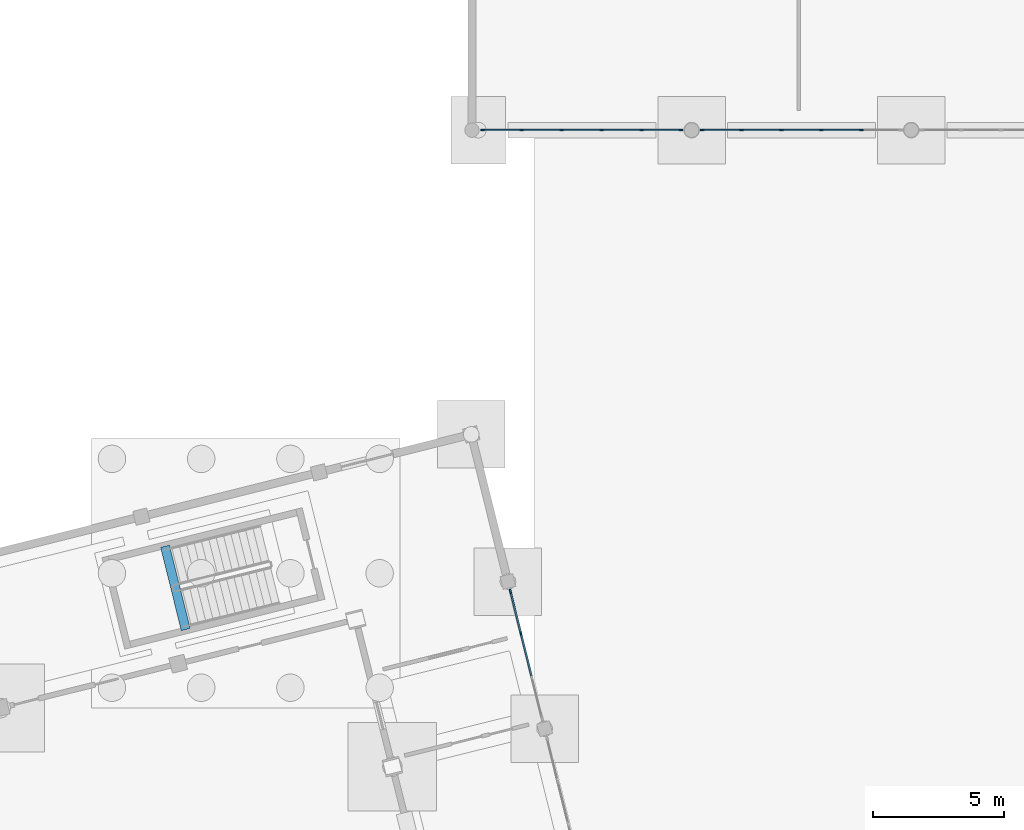
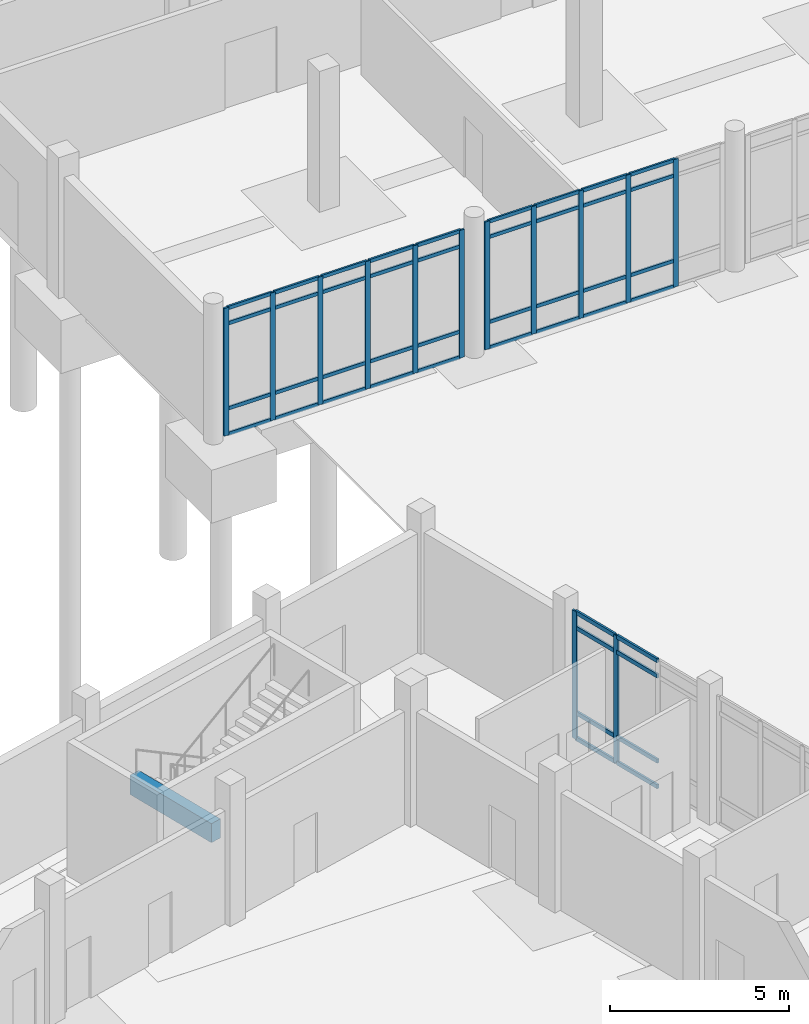
# One storey, part 17 of 72: 57 members, 1 beam, 3 elements without a shape of their own.
"""IFC4 building model written with IfcOpenShell, lengths in metres."""

from ifc_helpers import new_model, si_unit, direction, frame, origin, origin_2d, place, context, subcontext, project, spatial, rectangle, extrude, material, material_profile, profile_set, type_object, element, aggregate, save


model = new_model("IFC4")

# Units and contexts
model_context = context("Model", 3, precision=1e-05, world=origin(), true_north=direction((0.0, 1.0)))
body_context = subcontext(model_context, "Body", "Model", "MODEL_VIEW")
ifc_project = project(units=[si_unit("LENGTHUNIT", "METRE"), si_unit("AREAUNIT", "SQUARE_METRE"), si_unit("VOLUMEUNIT", "CUBIC_METRE"), si_unit("PLANEANGLEUNIT", "RADIAN"), si_unit("MASSUNIT", "GRAM", prefix="KILO")], contexts=[model_context])

# Site, building, storey
site_placement = place(None, origin())
site = spatial("IfcSite", under=ifc_project, at=site_placement, CompositionType="ELEMENT")
building_placement = place(site_placement, origin())
building = spatial("IfcBuilding", under=site, at=building_placement, Name="Cinderway Yard Community Centre", CompositionType="ELEMENT")
storey_placement = place(building_placement, origin())
storey = spatial("IfcBuildingStorey", under=building, at=storey_placement, Name="L00", CompositionType="ELEMENT", Elevation=0.0)

# Curtain wall, members
ifc_material_1 = material(Name="Aluminium 6063-T6", Category="aluminium")
curtain_wall_type_1 = type_object("IfcCurtainWallType", Name="ENV-CW-TYPE-24", PredefinedType="USERDEFINED", material=ifc_material_1)
curtain_wall_1_placement = place(storey_placement, origin())
curtain_wall_1 = element("IfcCurtainWall", 1, at=curtain_wall_1_placement, inside=storey, type_object=curtain_wall_type_1, Name="V4 Courtyard Curtain Wall ENV-CW-L00-ST-0109", ObjectType="GLAZED CURTAIN WALL", PredefinedType="USERDEFINED")
ifc_material_profile_1 = material_profile(ifc_material_1, rectangle(XDim=0.06005859375, YDim=0.159912109375, at=origin_2d()), Name="Aluminium 6063-T6")
ifc_profile_set_1 = profile_set([ifc_material_profile_1], Name="Aluminium 6063-T6")
member_type_1 = type_object("IfcMemberType", Name="ENV-CW-MULL-150", PredefinedType="MULLION", material=ifc_profile_set_1)
member_1_placement = place(storey_placement, frame((42.010009765625, 90.0, 0.0), z_axis=(0.0, 0.0, 1.0), x_axis=(0.0, 1.0, 0.0)))
member_1 = element("IfcMember", 2, at=member_1_placement, type_object=member_type_1, Name="CW-24 mullion 1", PredefinedType="MULLION", context=body_context, shape_type="SweptSolid", body=[
    extrude(rectangle(XDim=0.06005859375, YDim=0.159912109375, at=origin_2d()), origin(), (0.0, 0.0, 1.0), 4.35009765625),
])
member_2_placement = place(storey_placement, frame((43.508056640625, 90.0, 0.0), z_axis=(0.0, 0.0, 1.0), x_axis=(0.0, 1.0, 0.0)))
member_2 = element("IfcMember", 3, at=member_2_placement, type_object=member_type_1, Name="CW-24 mullion 2", PredefinedType="MULLION", context=body_context, shape_type="SweptSolid", body=[
    extrude(rectangle(XDim=0.06005859375, YDim=0.159912109375, at=origin_2d()), origin(), (0.0, 0.0, 1.0), 4.35009765625),
])
member_3_placement = place(storey_placement, frame((45.035888671875, 90.0, 0.0), z_axis=(0.0, 0.0, 1.0), x_axis=(0.0, 1.0, 0.0)))
member_3 = element("IfcMember", 4, at=member_3_placement, type_object=member_type_1, Name="CW-24 mullion 3", PredefinedType="MULLION", context=body_context, shape_type="SweptSolid", body=[
    extrude(rectangle(XDim=0.06005859375, YDim=0.159912109375, at=origin_2d()), origin(), (0.0, 0.0, 1.0), 4.35009765625),
])
member_4_placement = place(storey_placement, frame((46.56396484375, 90.0, 0.0), z_axis=(0.0, 0.0, 1.0), x_axis=(0.0, 1.0, 0.0)))
member_4 = element("IfcMember", 5, at=member_4_placement, type_object=member_type_1, Name="CW-24 mullion 4", PredefinedType="MULLION", context=body_context, shape_type="SweptSolid", body=[
    extrude(rectangle(XDim=0.06005859375, YDim=0.159912109375, at=origin_2d()), origin(), (0.0, 0.0, 1.0), 4.35009765625),
])
member_5_placement = place(storey_placement, frame((48.092041015625, 90.0, 0.0), z_axis=(0.0, 0.0, 1.0), x_axis=(0.0, 1.0, 0.0)))
member_5 = element("IfcMember", 6, at=member_5_placement, type_object=member_type_1, Name="CW-24 mullion 5", PredefinedType="MULLION", context=body_context, shape_type="SweptSolid", body=[
    extrude(rectangle(XDim=0.06005859375, YDim=0.159912109375, at=origin_2d()), origin(), (0.0, 0.0, 1.0), 4.35009765625),
])
member_6_placement = place(storey_placement, frame((49.590087890625, 90.0, 0.0), z_axis=(0.0, 0.0, 1.0), x_axis=(0.0, 1.0, 0.0)))
member_6 = element("IfcMember", 7, at=member_6_placement, type_object=member_type_1, Name="CW-24 mullion 6", PredefinedType="MULLION", context=body_context, shape_type="SweptSolid", body=[
    extrude(rectangle(XDim=0.06005859375, YDim=0.159912109375, at=origin_2d()), origin(), (0.0, 0.0, 1.0), 4.35009765625),
])

curtain_wall_2_placement = place(storey_placement, origin())
curtain_wall_2 = element("IfcCurtainWall", 8, at=curtain_wall_2_placement, inside=storey, type_object=curtain_wall_type_1, Name="V4 Courtyard Curtain Wall ENV-CW-L00-ST-0110", ObjectType="GLAZED CURTAIN WALL", PredefinedType="USERDEFINED")
member_7_placement = place(storey_placement, frame((50.409912109375, 90.0, 0.0), z_axis=(0.0, 0.0, 1.0), x_axis=(0.0, 1.0, 0.0)))
member_7 = element("IfcMember", 9, at=member_7_placement, type_object=member_type_1, Name="CW-24 mullion 1", PredefinedType="MULLION", context=body_context, shape_type="SweptSolid", body=[
    extrude(rectangle(XDim=0.06005859375, YDim=0.159912109375, at=origin_2d()), origin(), (0.0, 0.0, 1.0), 4.35009765625),
])
member_8_placement = place(storey_placement, frame((51.907958984375, 90.0, 0.0), z_axis=(0.0, 0.0, 1.0), x_axis=(0.0, 1.0, 0.0)))
member_8 = element("IfcMember", 10, at=member_8_placement, type_object=member_type_1, Name="CW-24 mullion 2", PredefinedType="MULLION", context=body_context, shape_type="SweptSolid", body=[
    extrude(rectangle(XDim=0.06005859375, YDim=0.159912109375, at=origin_2d()), origin(), (0.0, 0.0, 1.0), 4.35009765625),
])
member_9_placement = place(storey_placement, frame((53.43603515625, 90.0, 0.0), z_axis=(0.0, 0.0, 1.0), x_axis=(0.0, 1.0, 0.0)))
member_9 = element("IfcMember", 11, at=member_9_placement, type_object=member_type_1, Name="CW-24 mullion 3", PredefinedType="MULLION", context=body_context, shape_type="SweptSolid", body=[
    extrude(rectangle(XDim=0.06005859375, YDim=0.159912109375, at=origin_2d()), origin(), (0.0, 0.0, 1.0), 4.35009765625),
])
member_10_placement = place(storey_placement, frame((54.964111328125, 90.0, 0.0), z_axis=(0.0, 0.0, 1.0), x_axis=(0.0, 1.0, 0.0)))
member_10 = element("IfcMember", 12, at=member_10_placement, type_object=member_type_1, Name="CW-24 mullion 4", PredefinedType="MULLION", context=body_context, shape_type="SweptSolid", body=[
    extrude(rectangle(XDim=0.06005859375, YDim=0.159912109375, at=origin_2d()), origin(), (0.0, 0.0, 1.0), 4.35009765625),
])
member_11_placement = place(storey_placement, frame((56.491943359375, 90.0, 0.0), z_axis=(0.0, 0.0, 1.0), x_axis=(0.0, 1.0, 0.0)))
member_11 = element("IfcMember", 13, at=member_11_placement, type_object=member_type_1, Name="CW-24 mullion 5", PredefinedType="MULLION", context=body_context, shape_type="SweptSolid", body=[
    extrude(rectangle(XDim=0.06005859375, YDim=0.159912109375, at=origin_2d()), origin(), (0.0, 0.0, 1.0), 4.35009765625),
])

curtain_wall_type_2 = type_object("IfcCurtainWallType", Name="ENV-CW-TYPE-01", PredefinedType="USERDEFINED", material=ifc_material_1)
curtain_wall_3_placement = place(storey_placement, origin())
curtain_wall_3 = element("IfcCurtainWall", 14, at=curtain_wall_3_placement, inside=storey, type_object=curtain_wall_type_2, Name="Main Hall Courtyard Curtain Wall ENV-CW-L00-HS-0007", ObjectType="GLAZED CURTAIN WALL", PredefinedType="USERDEFINED")
ifc_material_profile_2 = material_profile(ifc_material_1, rectangle(XDim=0.06494140625, YDim=0.179931640625, at=origin_2d()), Name="Aluminium 6063-T6")
ifc_profile_set_2 = profile_set([ifc_material_profile_2], Name="Aluminium 6063-T6")
member_type_2 = type_object("IfcMemberType", Name="ENV-CW-MULL-180", PredefinedType="MULLION", material=ifc_profile_set_2)
member_12_placement = place(storey_placement, frame((43.47412109375, 70.74365234375, 0.0), z_axis=(0.0, 0.0, 1.0), x_axis=(-0.970258158409, -0.242072522276, 0.0)))
member_12 = element("IfcMember", 15, at=member_12_placement, type_object=member_type_2, Name="CW-01 mullion 3", PredefinedType="MULLION", context=body_context, shape_type="SweptSolid", body=[
    extrude(rectangle(XDim=0.06494140625, YDim=0.179931640625, at=origin_2d()), origin(), (0.0, 0.0, 1.0), 4.35009765625),
])
member_13_placement = place(storey_placement, frame((43.0712890625, 72.35791015625, 0.0), z_axis=(0.0, 0.0, 1.0), x_axis=(-0.970258158409, -0.242072522276, 0.0)))
member_13 = element("IfcMember", 16, at=member_13_placement, type_object=member_type_2, Name="CW-01 mullion 4", PredefinedType="MULLION", context=body_context, shape_type="SweptSolid", body=[
    extrude(rectangle(XDim=0.06494140625, YDim=0.179931640625, at=origin_2d()), origin(), (0.0, 0.0, 1.0), 4.35009765625),
])

# Member
ifc_material_profile_3 = material_profile(ifc_material_1, rectangle(XDim=0.06005859375, YDim=0.1201171875, at=origin_2d()), Name="Aluminium 6063-T6")
ifc_profile_set_3 = profile_set([ifc_material_profile_3], Name="Aluminium 6063-T6")
member_type_3 = type_object("IfcMemberType", Name="ENV-CW-TRAN-110", PredefinedType="USERDEFINED", material=ifc_profile_set_3)
member_14_placement = place(storey_placement, frame((42.0400390625, 90.0, 0.030029296875), z_axis=(1.0, 0.0, 0.0), x_axis=(0.0, 1.0, 0.0)))
member_14 = element("IfcMember", 17, at=member_14_placement, type_object=member_type_3, Name="CW-24 transom 1.1", ObjectType="TRANSOM", PredefinedType="USERDEFINED", context=body_context, shape_type="SweptSolid", body=[
    extrude(rectangle(XDim=0.06005859375, YDim=0.1201171875, at=origin_2d()), origin(), (0.0, 0.0, 1.0), 1.43798828125),
])

member_15_placement = place(storey_placement, frame((42.0400390625, 90.0, 0.89990234375), z_axis=(1.0, 0.0, 0.0), x_axis=(0.0, 1.0, 0.0)))
member_15 = element("IfcMember", 18, at=member_15_placement, type_object=member_type_3, Name="CW-24 transom 1.2", ObjectType="TRANSOM", PredefinedType="USERDEFINED", context=body_context, shape_type="SweptSolid", body=[
    extrude(rectangle(XDim=0.06005859375, YDim=0.1201171875, at=origin_2d()), origin(), (0.0, 0.0, 1.0), 1.43798828125),
])

member_16_placement = place(storey_placement, frame((42.0400390625, 90.0, 3.800048828125), z_axis=(1.0, 0.0, 0.0), x_axis=(0.0, 1.0, 0.0)))
member_16 = element("IfcMember", 19, at=member_16_placement, type_object=member_type_3, Name="CW-24 transom 1.3", ObjectType="TRANSOM", PredefinedType="USERDEFINED", context=body_context, shape_type="SweptSolid", body=[
    extrude(rectangle(XDim=0.06005859375, YDim=0.1201171875, at=origin_2d()), origin(), (0.0, 0.0, 1.0), 1.43798828125),
])

member_17_placement = place(storey_placement, frame((42.0400390625, 90.0, 4.320068359375), z_axis=(1.0, 0.0, 0.0), x_axis=(0.0, 1.0, 0.0)))
member_17 = element("IfcMember", 20, at=member_17_placement, type_object=member_type_3, Name="CW-24 transom 1.4", ObjectType="TRANSOM", PredefinedType="USERDEFINED", context=body_context, shape_type="SweptSolid", body=[
    extrude(rectangle(XDim=0.06005859375, YDim=0.1201171875, at=origin_2d()), origin(), (0.0, 0.0, 1.0), 1.43798828125),
])

member_18_placement = place(storey_placement, frame((43.5380859375, 90.0, 0.030029296875), z_axis=(1.0, 0.0, 0.0), x_axis=(0.0, 1.0, 0.0)))
member_18 = element("IfcMember", 21, at=member_18_placement, type_object=member_type_3, Name="CW-24 transom 2.1", ObjectType="TRANSOM", PredefinedType="USERDEFINED", context=body_context, shape_type="SweptSolid", body=[
    extrude(rectangle(XDim=0.06005859375, YDim=0.1201171875, at=origin_2d()), origin(), (0.0, 0.0, 1.0), 1.468017578125),
])

member_19_placement = place(storey_placement, frame((43.5380859375, 90.0, 0.89990234375), z_axis=(1.0, 0.0, 0.0), x_axis=(0.0, 1.0, 0.0)))
member_19 = element("IfcMember", 22, at=member_19_placement, type_object=member_type_3, Name="CW-24 transom 2.2", ObjectType="TRANSOM", PredefinedType="USERDEFINED", context=body_context, shape_type="SweptSolid", body=[
    extrude(rectangle(XDim=0.06005859375, YDim=0.1201171875, at=origin_2d()), origin(), (0.0, 0.0, 1.0), 1.468017578125),
])

member_20_placement = place(storey_placement, frame((43.5380859375, 90.0, 3.800048828125), z_axis=(1.0, 0.0, 0.0), x_axis=(0.0, 1.0, 0.0)))
member_20 = element("IfcMember", 23, at=member_20_placement, type_object=member_type_3, Name="CW-24 transom 2.3", ObjectType="TRANSOM", PredefinedType="USERDEFINED", context=body_context, shape_type="SweptSolid", body=[
    extrude(rectangle(XDim=0.06005859375, YDim=0.1201171875, at=origin_2d()), origin(), (0.0, 0.0, 1.0), 1.468017578125),
])

member_21_placement = place(storey_placement, frame((43.5380859375, 90.0, 4.320068359375), z_axis=(1.0, 0.0, 0.0), x_axis=(0.0, 1.0, 0.0)))
member_21 = element("IfcMember", 24, at=member_21_placement, type_object=member_type_3, Name="CW-24 transom 2.4", ObjectType="TRANSOM", PredefinedType="USERDEFINED", context=body_context, shape_type="SweptSolid", body=[
    extrude(rectangle(XDim=0.06005859375, YDim=0.1201171875, at=origin_2d()), origin(), (0.0, 0.0, 1.0), 1.468017578125),
])

member_22_placement = place(storey_placement, frame((45.06591796875, 90.0, 0.030029296875), z_axis=(1.0, 0.0, 0.0), x_axis=(0.0, 1.0, 0.0)))
member_22 = element("IfcMember", 25, at=member_22_placement, type_object=member_type_3, Name="CW-24 transom 3.1", ObjectType="TRANSOM", PredefinedType="USERDEFINED", context=body_context, shape_type="SweptSolid", body=[
    extrude(rectangle(XDim=0.06005859375, YDim=0.1201171875, at=origin_2d()), origin(), (0.0, 0.0, 1.0), 1.468017578125),
])

member_23_placement = place(storey_placement, frame((45.06591796875, 90.0, 0.89990234375), z_axis=(1.0, 0.0, 0.0), x_axis=(0.0, 1.0, 0.0)))
member_23 = element("IfcMember", 26, at=member_23_placement, type_object=member_type_3, Name="CW-24 transom 3.2", ObjectType="TRANSOM", PredefinedType="USERDEFINED", context=body_context, shape_type="SweptSolid", body=[
    extrude(rectangle(XDim=0.06005859375, YDim=0.1201171875, at=origin_2d()), origin(), (0.0, 0.0, 1.0), 1.468017578125),
])

member_24_placement = place(storey_placement, frame((45.06591796875, 90.0, 3.800048828125), z_axis=(1.0, 0.0, 0.0), x_axis=(0.0, 1.0, 0.0)))
member_24 = element("IfcMember", 27, at=member_24_placement, type_object=member_type_3, Name="CW-24 transom 3.3", ObjectType="TRANSOM", PredefinedType="USERDEFINED", context=body_context, shape_type="SweptSolid", body=[
    extrude(rectangle(XDim=0.06005859375, YDim=0.1201171875, at=origin_2d()), origin(), (0.0, 0.0, 1.0), 1.468017578125),
])

member_25_placement = place(storey_placement, frame((45.06591796875, 90.0, 4.320068359375), z_axis=(1.0, 0.0, 0.0), x_axis=(0.0, 1.0, 0.0)))
member_25 = element("IfcMember", 28, at=member_25_placement, type_object=member_type_3, Name="CW-24 transom 3.4", ObjectType="TRANSOM", PredefinedType="USERDEFINED", context=body_context, shape_type="SweptSolid", body=[
    extrude(rectangle(XDim=0.06005859375, YDim=0.1201171875, at=origin_2d()), origin(), (0.0, 0.0, 1.0), 1.468017578125),
])

member_26_placement = place(storey_placement, frame((46.593994140625, 90.0, 0.030029296875), z_axis=(1.0, 0.0, 0.0), x_axis=(0.0, 1.0, 0.0)))
member_26 = element("IfcMember", 29, at=member_26_placement, type_object=member_type_3, Name="CW-24 transom 4.1", ObjectType="TRANSOM", PredefinedType="USERDEFINED", context=body_context, shape_type="SweptSolid", body=[
    extrude(rectangle(XDim=0.06005859375, YDim=0.1201171875, at=origin_2d()), origin(), (0.0, 0.0, 1.0), 1.468017578125),
])

member_27_placement = place(storey_placement, frame((46.593994140625, 90.0, 0.89990234375), z_axis=(1.0, 0.0, 0.0), x_axis=(0.0, 1.0, 0.0)))
member_27 = element("IfcMember", 30, at=member_27_placement, type_object=member_type_3, Name="CW-24 transom 4.2", ObjectType="TRANSOM", PredefinedType="USERDEFINED", context=body_context, shape_type="SweptSolid", body=[
    extrude(rectangle(XDim=0.06005859375, YDim=0.1201171875, at=origin_2d()), origin(), (0.0, 0.0, 1.0), 1.468017578125),
])

member_28_placement = place(storey_placement, frame((46.593994140625, 90.0, 3.800048828125), z_axis=(1.0, 0.0, 0.0), x_axis=(0.0, 1.0, 0.0)))
member_28 = element("IfcMember", 31, at=member_28_placement, type_object=member_type_3, Name="CW-24 transom 4.3", ObjectType="TRANSOM", PredefinedType="USERDEFINED", context=body_context, shape_type="SweptSolid", body=[
    extrude(rectangle(XDim=0.06005859375, YDim=0.1201171875, at=origin_2d()), origin(), (0.0, 0.0, 1.0), 1.468017578125),
])

member_29_placement = place(storey_placement, frame((46.593994140625, 90.0, 4.320068359375), z_axis=(1.0, 0.0, 0.0), x_axis=(0.0, 1.0, 0.0)))
member_29 = element("IfcMember", 32, at=member_29_placement, type_object=member_type_3, Name="CW-24 transom 4.4", ObjectType="TRANSOM", PredefinedType="USERDEFINED", context=body_context, shape_type="SweptSolid", body=[
    extrude(rectangle(XDim=0.06005859375, YDim=0.1201171875, at=origin_2d()), origin(), (0.0, 0.0, 1.0), 1.468017578125),
])

member_30_placement = place(storey_placement, frame((48.1220703125, 90.0, 0.030029296875), z_axis=(1.0, 0.0, 0.0), x_axis=(0.0, 1.0, 0.0)))
member_30 = element("IfcMember", 33, at=member_30_placement, type_object=member_type_3, Name="CW-24 transom 5.1", ObjectType="TRANSOM", PredefinedType="USERDEFINED", context=body_context, shape_type="SweptSolid", body=[
    extrude(rectangle(XDim=0.06005859375, YDim=0.1201171875, at=origin_2d()), origin(), (0.0, 0.0, 1.0), 1.43798828125),
])

member_31_placement = place(storey_placement, frame((48.1220703125, 90.0, 0.89990234375), z_axis=(1.0, 0.0, 0.0), x_axis=(0.0, 1.0, 0.0)))
member_31 = element("IfcMember", 34, at=member_31_placement, type_object=member_type_3, Name="CW-24 transom 5.2", ObjectType="TRANSOM", PredefinedType="USERDEFINED", context=body_context, shape_type="SweptSolid", body=[
    extrude(rectangle(XDim=0.06005859375, YDim=0.1201171875, at=origin_2d()), origin(), (0.0, 0.0, 1.0), 1.43798828125),
])

member_32_placement = place(storey_placement, frame((48.1220703125, 90.0, 3.800048828125), z_axis=(1.0, 0.0, 0.0), x_axis=(0.0, 1.0, 0.0)))
member_32 = element("IfcMember", 35, at=member_32_placement, type_object=member_type_3, Name="CW-24 transom 5.3", ObjectType="TRANSOM", PredefinedType="USERDEFINED", context=body_context, shape_type="SweptSolid", body=[
    extrude(rectangle(XDim=0.06005859375, YDim=0.1201171875, at=origin_2d()), origin(), (0.0, 0.0, 1.0), 1.43798828125),
])

member_33_placement = place(storey_placement, frame((48.1220703125, 90.0, 4.320068359375), z_axis=(1.0, 0.0, 0.0), x_axis=(0.0, 1.0, 0.0)))
member_33 = element("IfcMember", 36, at=member_33_placement, type_object=member_type_3, Name="CW-24 transom 5.4", ObjectType="TRANSOM", PredefinedType="USERDEFINED", context=body_context, shape_type="SweptSolid", body=[
    extrude(rectangle(XDim=0.06005859375, YDim=0.1201171875, at=origin_2d()), origin(), (0.0, 0.0, 1.0), 1.43798828125),
])

aggregate(curtain_wall_1, [member_1, member_2, member_3, member_4, member_5, member_6, member_14, member_15, member_16, member_17, member_18, member_19, member_20, member_21, member_22, member_23, member_24, member_25, member_26, member_27, member_28, member_29, member_30, member_31, member_32, member_33])

member_34_placement = place(storey_placement, frame((50.43994140625, 90.0, 0.030029296875), z_axis=(1.0, 0.0, 0.0), x_axis=(0.0, 1.0, 0.0)))
member_34 = element("IfcMember", 37, at=member_34_placement, type_object=member_type_3, Name="CW-24 transom 1.1", ObjectType="TRANSOM", PredefinedType="USERDEFINED", context=body_context, shape_type="SweptSolid", body=[
    extrude(rectangle(XDim=0.06005859375, YDim=0.1201171875, at=origin_2d()), origin(), (0.0, 0.0, 1.0), 1.43798828125),
])

member_35_placement = place(storey_placement, frame((50.43994140625, 90.0, 0.89990234375), z_axis=(1.0, 0.0, 0.0), x_axis=(0.0, 1.0, 0.0)))
member_35 = element("IfcMember", 38, at=member_35_placement, type_object=member_type_3, Name="CW-24 transom 1.2", ObjectType="TRANSOM", PredefinedType="USERDEFINED", context=body_context, shape_type="SweptSolid", body=[
    extrude(rectangle(XDim=0.06005859375, YDim=0.1201171875, at=origin_2d()), origin(), (0.0, 0.0, 1.0), 1.43798828125),
])

member_36_placement = place(storey_placement, frame((50.43994140625, 90.0, 3.800048828125), z_axis=(1.0, 0.0, 0.0), x_axis=(0.0, 1.0, 0.0)))
member_36 = element("IfcMember", 39, at=member_36_placement, type_object=member_type_3, Name="CW-24 transom 1.3", ObjectType="TRANSOM", PredefinedType="USERDEFINED", context=body_context, shape_type="SweptSolid", body=[
    extrude(rectangle(XDim=0.06005859375, YDim=0.1201171875, at=origin_2d()), origin(), (0.0, 0.0, 1.0), 1.43798828125),
])

member_37_placement = place(storey_placement, frame((50.43994140625, 90.0, 4.320068359375), z_axis=(1.0, 0.0, 0.0), x_axis=(0.0, 1.0, 0.0)))
member_37 = element("IfcMember", 40, at=member_37_placement, type_object=member_type_3, Name="CW-24 transom 1.4", ObjectType="TRANSOM", PredefinedType="USERDEFINED", context=body_context, shape_type="SweptSolid", body=[
    extrude(rectangle(XDim=0.06005859375, YDim=0.1201171875, at=origin_2d()), origin(), (0.0, 0.0, 1.0), 1.43798828125),
])

member_38_placement = place(storey_placement, frame((51.93798828125, 90.0, 0.030029296875), z_axis=(1.0, 0.0, 0.0), x_axis=(0.0, 1.0, 0.0)))
member_38 = element("IfcMember", 41, at=member_38_placement, type_object=member_type_3, Name="CW-24 transom 2.1", ObjectType="TRANSOM", PredefinedType="USERDEFINED", context=body_context, shape_type="SweptSolid", body=[
    extrude(rectangle(XDim=0.06005859375, YDim=0.1201171875, at=origin_2d()), origin(), (0.0, 0.0, 1.0), 1.468017578125),
])

member_39_placement = place(storey_placement, frame((51.93798828125, 90.0, 0.89990234375), z_axis=(1.0, 0.0, 0.0), x_axis=(0.0, 1.0, 0.0)))
member_39 = element("IfcMember", 42, at=member_39_placement, type_object=member_type_3, Name="CW-24 transom 2.2", ObjectType="TRANSOM", PredefinedType="USERDEFINED", context=body_context, shape_type="SweptSolid", body=[
    extrude(rectangle(XDim=0.06005859375, YDim=0.1201171875, at=origin_2d()), origin(), (0.0, 0.0, 1.0), 1.468017578125),
])

member_40_placement = place(storey_placement, frame((51.93798828125, 90.0, 3.800048828125), z_axis=(1.0, 0.0, 0.0), x_axis=(0.0, 1.0, 0.0)))
member_40 = element("IfcMember", 43, at=member_40_placement, type_object=member_type_3, Name="CW-24 transom 2.3", ObjectType="TRANSOM", PredefinedType="USERDEFINED", context=body_context, shape_type="SweptSolid", body=[
    extrude(rectangle(XDim=0.06005859375, YDim=0.1201171875, at=origin_2d()), origin(), (0.0, 0.0, 1.0), 1.468017578125),
])

member_41_placement = place(storey_placement, frame((51.93798828125, 90.0, 4.320068359375), z_axis=(1.0, 0.0, 0.0), x_axis=(0.0, 1.0, 0.0)))
member_41 = element("IfcMember", 44, at=member_41_placement, type_object=member_type_3, Name="CW-24 transom 2.4", ObjectType="TRANSOM", PredefinedType="USERDEFINED", context=body_context, shape_type="SweptSolid", body=[
    extrude(rectangle(XDim=0.06005859375, YDim=0.1201171875, at=origin_2d()), origin(), (0.0, 0.0, 1.0), 1.468017578125),
])

member_42_placement = place(storey_placement, frame((53.466064453125, 90.0, 0.030029296875), z_axis=(1.0, 0.0, 0.0), x_axis=(0.0, 1.0, 0.0)))
member_42 = element("IfcMember", 45, at=member_42_placement, type_object=member_type_3, Name="CW-24 transom 3.1", ObjectType="TRANSOM", PredefinedType="USERDEFINED", context=body_context, shape_type="SweptSolid", body=[
    extrude(rectangle(XDim=0.06005859375, YDim=0.1201171875, at=origin_2d()), origin(), (0.0, 0.0, 1.0), 1.468017578125),
])

member_43_placement = place(storey_placement, frame((53.466064453125, 90.0, 0.89990234375), z_axis=(1.0, 0.0, 0.0), x_axis=(0.0, 1.0, 0.0)))
member_43 = element("IfcMember", 46, at=member_43_placement, type_object=member_type_3, Name="CW-24 transom 3.2", ObjectType="TRANSOM", PredefinedType="USERDEFINED", context=body_context, shape_type="SweptSolid", body=[
    extrude(rectangle(XDim=0.06005859375, YDim=0.1201171875, at=origin_2d()), origin(), (0.0, 0.0, 1.0), 1.468017578125),
])

member_44_placement = place(storey_placement, frame((53.466064453125, 90.0, 3.800048828125), z_axis=(1.0, 0.0, 0.0), x_axis=(0.0, 1.0, 0.0)))
member_44 = element("IfcMember", 47, at=member_44_placement, type_object=member_type_3, Name="CW-24 transom 3.3", ObjectType="TRANSOM", PredefinedType="USERDEFINED", context=body_context, shape_type="SweptSolid", body=[
    extrude(rectangle(XDim=0.06005859375, YDim=0.1201171875, at=origin_2d()), origin(), (0.0, 0.0, 1.0), 1.468017578125),
])

member_45_placement = place(storey_placement, frame((53.466064453125, 90.0, 4.320068359375), z_axis=(1.0, 0.0, 0.0), x_axis=(0.0, 1.0, 0.0)))
member_45 = element("IfcMember", 48, at=member_45_placement, type_object=member_type_3, Name="CW-24 transom 3.4", ObjectType="TRANSOM", PredefinedType="USERDEFINED", context=body_context, shape_type="SweptSolid", body=[
    extrude(rectangle(XDim=0.06005859375, YDim=0.1201171875, at=origin_2d()), origin(), (0.0, 0.0, 1.0), 1.468017578125),
])

member_46_placement = place(storey_placement, frame((54.993896484375, 90.0, 0.030029296875), z_axis=(1.0, 0.0, 0.0), x_axis=(0.0, 1.0, 0.0)))
member_46 = element("IfcMember", 49, at=member_46_placement, type_object=member_type_3, Name="CW-24 transom 4.1", ObjectType="TRANSOM", PredefinedType="USERDEFINED", context=body_context, shape_type="SweptSolid", body=[
    extrude(rectangle(XDim=0.06005859375, YDim=0.1201171875, at=origin_2d()), origin(), (0.0, 0.0, 1.0), 1.468017578125),
])

member_47_placement = place(storey_placement, frame((54.993896484375, 90.0, 0.89990234375), z_axis=(1.0, 0.0, 0.0), x_axis=(0.0, 1.0, 0.0)))
member_47 = element("IfcMember", 50, at=member_47_placement, type_object=member_type_3, Name="CW-24 transom 4.2", ObjectType="TRANSOM", PredefinedType="USERDEFINED", context=body_context, shape_type="SweptSolid", body=[
    extrude(rectangle(XDim=0.06005859375, YDim=0.1201171875, at=origin_2d()), origin(), (0.0, 0.0, 1.0), 1.468017578125),
])

member_48_placement = place(storey_placement, frame((54.993896484375, 90.0, 3.800048828125), z_axis=(1.0, 0.0, 0.0), x_axis=(0.0, 1.0, 0.0)))
member_48 = element("IfcMember", 51, at=member_48_placement, type_object=member_type_3, Name="CW-24 transom 4.3", ObjectType="TRANSOM", PredefinedType="USERDEFINED", context=body_context, shape_type="SweptSolid", body=[
    extrude(rectangle(XDim=0.06005859375, YDim=0.1201171875, at=origin_2d()), origin(), (0.0, 0.0, 1.0), 1.468017578125),
])

member_49_placement = place(storey_placement, frame((54.993896484375, 90.0, 4.320068359375), z_axis=(1.0, 0.0, 0.0), x_axis=(0.0, 1.0, 0.0)))
member_49 = element("IfcMember", 52, at=member_49_placement, type_object=member_type_3, Name="CW-24 transom 4.4", ObjectType="TRANSOM", PredefinedType="USERDEFINED", context=body_context, shape_type="SweptSolid", body=[
    extrude(rectangle(XDim=0.06005859375, YDim=0.1201171875, at=origin_2d()), origin(), (0.0, 0.0, 1.0), 1.468017578125),
])

aggregate(curtain_wall_2, [member_7, member_8, member_9, member_10, member_11, member_34, member_35, member_36, member_37, member_38, member_39, member_40, member_41, member_42, member_43, member_44, member_45, member_46, member_47, member_48, member_49])

ifc_material_profile_4 = material_profile(ifc_material_1, rectangle(XDim=0.06494140625, YDim=0.139892578125, at=origin_2d()), Name="Aluminium 6063-T6")
ifc_profile_set_4 = profile_set([ifc_material_profile_4], Name="Aluminium 6063-T6")
member_type_4 = type_object("IfcMemberType", Name="ENV-CW-TRAN-140", PredefinedType="USERDEFINED", material=ifc_profile_set_4)
member_50_placement = place(storey_placement, frame((43.876708984375, 69.12939453125, 0.030029296875), z_axis=(-0.242078514502, 0.970256663371, 0.0), x_axis=(-0.970256663371, -0.242078514502, 0.0)))
member_50 = element("IfcMember", 53, at=member_50_placement, type_object=member_type_4, Name="CW-01 transom 2.1", ObjectType="TRANSOM", PredefinedType="USERDEFINED", context=body_context, shape_type="SweptSolid", body=[
    extrude(rectangle(XDim=0.06494140625, YDim=0.139892578125, at=origin_2d()), origin(), (0.0, 0.0, 1.0), 1.6337890625),
])

member_51_placement = place(storey_placement, frame((43.876708984375, 69.12939453125, 0.89990234375), z_axis=(-0.242078514502, 0.970256663371, 0.0), x_axis=(-0.970256663371, -0.242078514502, 0.0)))
member_51 = element("IfcMember", 54, at=member_51_placement, type_object=member_type_4, Name="CW-01 transom 2.2", ObjectType="TRANSOM", PredefinedType="USERDEFINED", context=body_context, shape_type="SweptSolid", body=[
    extrude(rectangle(XDim=0.06494140625, YDim=0.139892578125, at=origin_2d()), origin(), (0.0, 0.0, 1.0), 1.6337890625),
])

member_52_placement = place(storey_placement, frame((43.876708984375, 69.12939453125, 3.800048828125), z_axis=(-0.242078514502, 0.970256663371, 0.0), x_axis=(-0.970256663371, -0.242078514502, 0.0)))
member_52 = element("IfcMember", 55, at=member_52_placement, type_object=member_type_4, Name="CW-01 transom 2.3", ObjectType="TRANSOM", PredefinedType="USERDEFINED", context=body_context, shape_type="SweptSolid", body=[
    extrude(rectangle(XDim=0.06494140625, YDim=0.139892578125, at=origin_2d()), origin(), (0.0, 0.0, 1.0), 1.6337890625),
])

member_53_placement = place(storey_placement, frame((43.876708984375, 69.12939453125, 4.320068359375), z_axis=(-0.242078514502, 0.970256663371, 0.0), x_axis=(-0.970256663371, -0.242078514502, 0.0)))
member_53 = element("IfcMember", 56, at=member_53_placement, type_object=member_type_4, Name="CW-01 transom 2.4", ObjectType="TRANSOM", PredefinedType="USERDEFINED", context=body_context, shape_type="SweptSolid", body=[
    extrude(rectangle(XDim=0.06494140625, YDim=0.139892578125, at=origin_2d()), origin(), (0.0, 0.0, 1.0), 1.6337890625),
])

member_54_placement = place(storey_placement, frame((43.466796875, 70.772705078125, 0.030029296875), z_axis=(-0.242034153032, 0.970267730457, 0.0), x_axis=(-0.970267730457, -0.242034153032, 0.0)))
member_54 = element("IfcMember", 57, at=member_54_placement, type_object=member_type_4, Name="CW-01 transom 3.1", ObjectType="TRANSOM", PredefinedType="USERDEFINED", context=body_context, shape_type="SweptSolid", body=[
    extrude(rectangle(XDim=0.06494140625, YDim=0.139892578125, at=origin_2d()), origin(), (0.0, 0.0, 1.0), 1.603759765625),
])

member_55_placement = place(storey_placement, frame((43.466796875, 70.772705078125, 0.89990234375), z_axis=(-0.242034153032, 0.970267730457, 0.0), x_axis=(-0.970267730457, -0.242034153032, 0.0)))
member_55 = element("IfcMember", 58, at=member_55_placement, type_object=member_type_4, Name="CW-01 transom 3.2", ObjectType="TRANSOM", PredefinedType="USERDEFINED", context=body_context, shape_type="SweptSolid", body=[
    extrude(rectangle(XDim=0.06494140625, YDim=0.139892578125, at=origin_2d()), origin(), (0.0, 0.0, 1.0), 1.603759765625),
])

member_56_placement = place(storey_placement, frame((43.466796875, 70.772705078125, 3.800048828125), z_axis=(-0.242034153032, 0.970267730457, 0.0), x_axis=(-0.970267730457, -0.242034153032, 0.0)))
member_56 = element("IfcMember", 59, at=member_56_placement, type_object=member_type_4, Name="CW-01 transom 3.3", ObjectType="TRANSOM", PredefinedType="USERDEFINED", context=body_context, shape_type="SweptSolid", body=[
    extrude(rectangle(XDim=0.06494140625, YDim=0.139892578125, at=origin_2d()), origin(), (0.0, 0.0, 1.0), 1.603759765625),
])

member_57_placement = place(storey_placement, frame((43.466796875, 70.772705078125, 4.320068359375), z_axis=(-0.242034153032, 0.970267730457, 0.0), x_axis=(-0.970267730457, -0.242034153032, 0.0)))
member_57 = element("IfcMember", 60, at=member_57_placement, type_object=member_type_4, Name="CW-01 transom 3.4", ObjectType="TRANSOM", PredefinedType="USERDEFINED", context=body_context, shape_type="SweptSolid", body=[
    extrude(rectangle(XDim=0.06494140625, YDim=0.139892578125, at=origin_2d()), origin(), (0.0, 0.0, 1.0), 1.603759765625),
])

aggregate(curtain_wall_3, [member_12, member_13, member_50, member_51, member_52, member_53, member_54, member_55, member_56, member_57])

# Beam
ifc_material_2 = material(Name="Concrete C35/45", Category="concrete")
ifc_material_profile_5 = material_profile(ifc_material_2, rectangle(XDim=0.35009765625, YDim=0.64990234375, at=origin_2d()), Name="Concrete C35/45")
ifc_profile_set_5 = profile_set([ifc_material_profile_5], Name="Concrete C35/45")
beam_type = type_object("IfcBeamType", Name="STR-BM-RC350X650", PredefinedType="BEAM", material=ifc_profile_set_5)
beam_placement = place(storey_placement, frame((29.862060546875, 74.083984375, 2.074951171875), z_axis=(0.242010279562, -0.970273685403, 0.0), x_axis=(0.970273685403, 0.242010279562, 0.0)))
element("IfcBeam", 61, at=beam_placement, inside=storey, type_object=beam_type, Name="Stair half-landing trimmer C3B L00", PredefinedType="BEAM", context=body_context, shape_type="SweptSolid", body=[
    extrude(rectangle(XDim=0.35009765625, YDim=0.64990234375, at=origin_2d()), origin(), (0.0, 0.0, 1.0), 3.280517578125),
])

save(model, "model.ifc")
